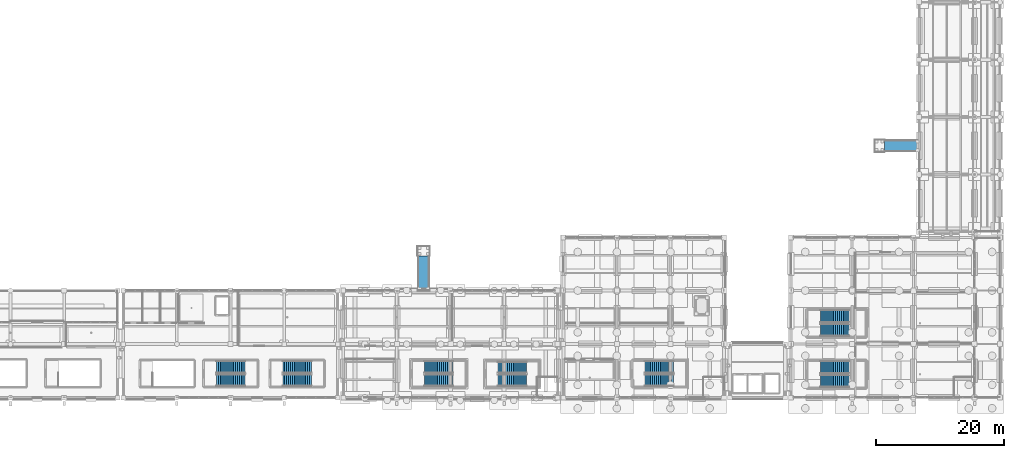
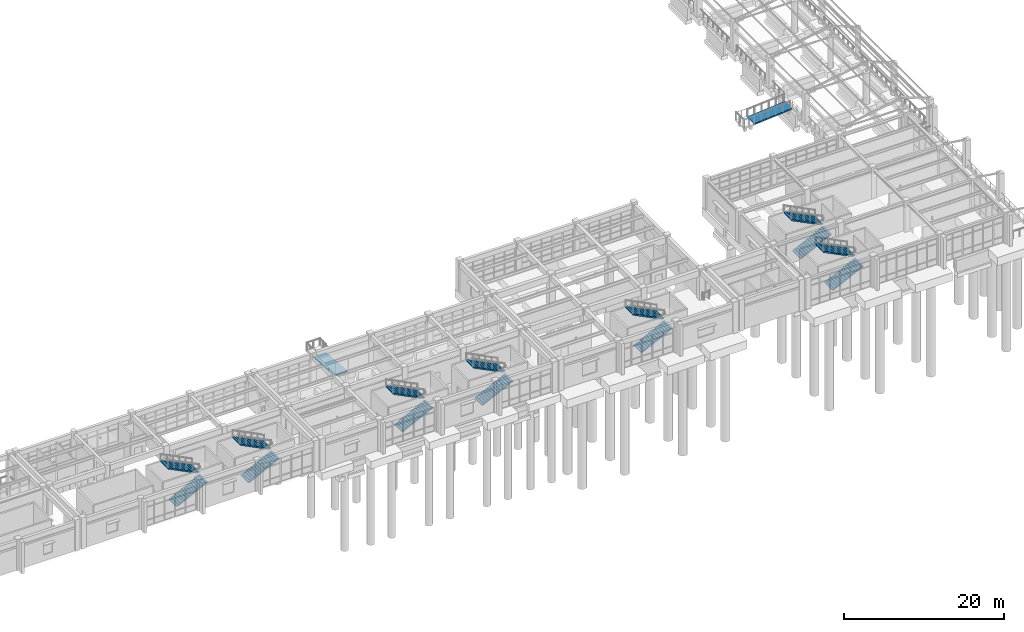
# One storey, part 89 of 111: 14 stair flights, 2 ramp flights, 9 elements without a shape of their own.
"""IFC4 building model written with IfcOpenShell, lengths in metres."""

from ifc_helpers import new_model, si_unit, direction, frame, origin, place, context, subcontext, project, spatial, polyline, outline, extrude, material, layer, layer_set, type_object, element, aggregate, save


model = new_model("IFC4")

# Units and contexts
model_context = context("Model", 3, precision=1e-05, world=origin(), true_north=direction((0.0, 1.0)))
body_context = subcontext(model_context, "Body", "Model", "MODEL_VIEW")
ifc_project = project(units=[si_unit("LENGTHUNIT", "METRE"), si_unit("AREAUNIT", "SQUARE_METRE"), si_unit("VOLUMEUNIT", "CUBIC_METRE"), si_unit("PLANEANGLEUNIT", "RADIAN"), si_unit("MASSUNIT", "GRAM", prefix="KILO")], contexts=[model_context])

# Site, building, storey
site_placement = place(None, origin())
site = spatial("IfcSite", under=ifc_project, at=site_placement, CompositionType="ELEMENT")
building_placement = place(site_placement, origin())
building = spatial("IfcBuilding", under=site, at=building_placement, Name="Canglan Escarpment Cableway Terminal", CompositionType="ELEMENT")
storey_placement = place(building_placement, frame((0.0, 0.0, 4.800048828125)))
storey = spatial("IfcBuildingStorey", under=building, at=storey_placement, Name="L01", CompositionType="ELEMENT", Elevation=4.800048828125)

# Stair, stair flights
ifc_material_1 = material(Name="Concrete C40", Category="concrete")
stair_type_1 = type_object("IfcStairType", Name="STR-DOGLEG-1850", PredefinedType="HALF_TURN_STAIR", material=ifc_material_1)
stair_1_placement = place(storey_placement, origin())
stair_1 = element("IfcStair", 1, at=stair_1_placement, inside=storey, type_object=stair_type_1, Name="L01 Protected Exit Stair ST-14", PredefinedType="HALF_TURN_STAIR")
ifc_layer_1 = layer(ifc_material_1, 0.14990234375, Name="Concrete C40")
ifc_layer_set_1 = layer_set([ifc_layer_1], Name="Concrete C40")
stair_flight_type_1 = type_object("IfcStairFlightType", Name="SFL-STRAIGHT-1850", PredefinedType="STRAIGHT", material=ifc_layer_set_1)
stair_flight_1_placement = place(storey_placement, frame((101.25, 10.72509765625, 0.0), z_axis=(0.0, 0.0, 1.0), x_axis=(1.0, 0.0, 0.0)))
stair_flight_1 = element("IfcStairFlight", 2, at=stair_flight_1_placement, type_object=stair_flight_type_1, Name="ST-14 flight 1", NumberOfRisers=16, NumberOfTreads=15, PredefinedType="STRAIGHT", RiserHeight=0.15, TreadLength=0.3, context=body_context, shape_type="SweptSolid", body=[
    extrude(outline(polyline([(0.0, 0.0), (0.0, 0.14990234375), (0.300048828125, 0.14990234375), (0.300048828125, 0.300048828125), (0.60009765625, 0.300048828125), (0.60009765625, 0.449951171875), (0.89990234375, 0.449951171875), (0.89990234375, 0.60009765625), (1.199951171875, 0.60009765625), (1.199951171875, 0.75), (1.5, 0.75), (1.5, 0.89990234375), (1.800048828125, 0.89990234375), (1.800048828125, 1.050048828125), (2.10009765625, 1.050048828125), (2.10009765625, 1.199951171875), (2.39990234375, 1.199951171875), (2.39990234375, 1.35009765625), (2.699951171875, 1.35009765625), (2.699951171875, 1.5), (3.0, 1.5), (3.0, 1.64990234375), (3.300048828125, 1.64990234375), (3.300048828125, 1.800048828125), (3.60009765625, 1.800048828125), (3.60009765625, 1.949951171875), (3.89990234375, 1.949951171875), (3.89990234375, 2.10009765625), (4.199951171875, 2.10009765625), (4.199951171875, 2.25), (4.5, 2.25), (4.5, 2.39990234375), (4.5, 2.08251953125), (0.335205078125, 0.0), (0.0, 0.0)])), frame((0.0, 0.925048828125, 0.0), z_axis=(0.0, -1.0, 0.0), x_axis=(1.0, 0.0, 0.0)), (0.0, 0.0, 1.0), 1.85009765625),
])
stair_flight_2_placement = place(storey_placement, frame((105.75, 12.72509765625, 2.39990234375), z_axis=(0.0, 0.0, 1.0), x_axis=(-1.0, 0.0, 0.0)))
stair_flight_2 = element("IfcStairFlight", 3, at=stair_flight_2_placement, type_object=stair_flight_type_1, Name="ST-14 flight 2", NumberOfRisers=16, NumberOfTreads=15, PredefinedType="STRAIGHT", RiserHeight=0.15, TreadLength=0.3, context=body_context, shape_type="SweptSolid", body=[
    extrude(outline(polyline([(0.0, 0.0), (0.0, 0.14990234375), (0.300048828125, 0.14990234375), (0.300048828125, 0.300048828125), (0.60009765625, 0.300048828125), (0.60009765625, 0.449951171875), (0.89990234375, 0.449951171875), (0.89990234375, 0.60009765625), (1.199951171875, 0.60009765625), (1.199951171875, 0.75), (1.5, 0.75), (1.5, 0.89990234375), (1.800048828125, 0.89990234375), (1.800048828125, 1.050048828125), (2.10009765625, 1.050048828125), (2.10009765625, 1.199951171875), (2.39990234375, 1.199951171875), (2.39990234375, 1.35009765625), (2.699951171875, 1.35009765625), (2.699951171875, 1.5), (3.0, 1.5), (3.0, 1.64990234375), (3.300048828125, 1.64990234375), (3.300048828125, 1.800048828125), (3.60009765625, 1.800048828125), (3.60009765625, 1.949951171875), (3.89990234375, 1.949951171875), (3.89990234375, 2.10009765625), (4.199951171875, 2.10009765625), (4.199951171875, 2.25), (4.5, 2.25), (4.5, 2.39990234375), (4.5, 2.08251953125), (0.335205078125, 0.0), (0.0, 0.0)])), frame((0.0, 0.925048828125, 0.0), z_axis=(0.0, -1.0, 0.0), x_axis=(1.0, 0.0, 0.0)), (0.0, 0.0, 1.0), 1.85009765625),
])
aggregate(stair_1, [stair_flight_1, stair_flight_2])

stair_type_2 = type_object("IfcStairType", Name="STR-DOGLEG-1900", PredefinedType="HALF_TURN_STAIR", material=ifc_material_1)
stair_2_placement = place(storey_placement, origin())
stair_2 = element("IfcStair", 4, at=stair_2_placement, inside=storey, type_object=stair_type_2, Name="L01 Protected Exit Stair ST-04", PredefinedType="HALF_TURN_STAIR")
ifc_layer_2 = layer(ifc_material_1, 0.14990234375, Name="Concrete C40")
ifc_layer_set_2 = layer_set([ifc_layer_2], Name="Concrete C40")
stair_flight_type_2 = type_object("IfcStairFlightType", Name="SFL-STRAIGHT-1900", PredefinedType="STRAIGHT", material=ifc_layer_set_2)
stair_flight_3_placement = place(storey_placement, frame((57.10009765625, 10.75, 0.0), z_axis=(0.0, 0.0, 1.0), x_axis=(1.0, 0.0, 0.0)))
stair_flight_3 = element("IfcStairFlight", 5, at=stair_flight_3_placement, type_object=stair_flight_type_2, Name="ST-04 flight 1", NumberOfRisers=16, NumberOfTreads=15, PredefinedType="STRAIGHT", RiserHeight=0.15, TreadLength=0.3, context=body_context, shape_type="SweptSolid", body=[
    extrude(outline(polyline([(0.0, 0.0), (0.0, 0.14990234375), (0.300048828125, 0.14990234375), (0.300048828125, 0.300048828125), (0.60009765625, 0.300048828125), (0.60009765625, 0.449951171875), (0.89990234375, 0.449951171875), (0.89990234375, 0.60009765625), (1.199951171875, 0.60009765625), (1.199951171875, 0.75), (1.5, 0.75), (1.5, 0.89990234375), (1.800048828125, 0.89990234375), (1.800048828125, 1.050048828125), (2.10009765625, 1.050048828125), (2.10009765625, 1.199951171875), (2.39990234375, 1.199951171875), (2.39990234375, 1.35009765625), (2.699951171875, 1.35009765625), (2.699951171875, 1.5), (3.0, 1.5), (3.0, 1.64990234375), (3.300048828125, 1.64990234375), (3.300048828125, 1.800048828125), (3.60009765625, 1.800048828125), (3.60009765625, 1.949951171875), (3.89990234375, 1.949951171875), (3.89990234375, 2.10009765625), (4.199951171875, 2.10009765625), (4.199951171875, 2.25), (4.5, 2.25), (4.5, 2.39990234375), (4.5, 2.08251953125), (0.335205078125, 0.0), (0.0, 0.0)])), frame((0.0, 0.949951171875, 0.0), z_axis=(0.0, -1.0, 0.0), x_axis=(1.0, 0.0, 0.0)), (0.0, 0.0, 1.0), 1.89990234375),
])
stair_flight_4_placement = place(storey_placement, frame((61.60009765625, 12.800048828125, 2.39990234375), z_axis=(0.0, 0.0, 1.0), x_axis=(-1.0, 0.0, 0.0)))
stair_flight_4 = element("IfcStairFlight", 6, at=stair_flight_4_placement, type_object=stair_flight_type_2, Name="ST-04 flight 2", NumberOfRisers=16, NumberOfTreads=15, PredefinedType="STRAIGHT", RiserHeight=0.15, TreadLength=0.3, context=body_context, shape_type="SweptSolid", body=[
    extrude(outline(polyline([(0.0, 0.0), (0.0, 0.14990234375), (0.300048828125, 0.14990234375), (0.300048828125, 0.300048828125), (0.60009765625, 0.300048828125), (0.60009765625, 0.449951171875), (0.89990234375, 0.449951171875), (0.89990234375, 0.60009765625), (1.199951171875, 0.60009765625), (1.199951171875, 0.75), (1.5, 0.75), (1.5, 0.89990234375), (1.800048828125, 0.89990234375), (1.800048828125, 1.050048828125), (2.10009765625, 1.050048828125), (2.10009765625, 1.199951171875), (2.39990234375, 1.199951171875), (2.39990234375, 1.35009765625), (2.699951171875, 1.35009765625), (2.699951171875, 1.5), (3.0, 1.5), (3.0, 1.64990234375), (3.300048828125, 1.64990234375), (3.300048828125, 1.800048828125), (3.60009765625, 1.800048828125), (3.60009765625, 1.949951171875), (3.89990234375, 1.949951171875), (3.89990234375, 2.10009765625), (4.199951171875, 2.10009765625), (4.199951171875, 2.25), (4.5, 2.25), (4.5, 2.39990234375), (4.5, 2.08251953125), (0.335205078125, 0.0), (0.0, 0.0)])), frame((0.0, 0.949951171875, 0.0), z_axis=(0.0, -1.0, 0.0), x_axis=(1.0, 0.0, 0.0)), (0.0, 0.0, 1.0), 1.89990234375),
])
aggregate(stair_2, [stair_flight_3, stair_flight_4])

stair_3_placement = place(storey_placement, origin())
stair_3 = element("IfcStair", 7, at=stair_3_placement, inside=storey, type_object=stair_type_2, Name="L01 Protected Exit Stair ST-05", PredefinedType="HALF_TURN_STAIR")
stair_flight_5_placement = place(storey_placement, frame((67.5, 10.75, 0.0), z_axis=(0.0, 0.0, 1.0), x_axis=(1.0, 0.0, 0.0)))
stair_flight_5 = element("IfcStairFlight", 8, at=stair_flight_5_placement, type_object=stair_flight_type_2, Name="ST-05 flight 1", NumberOfRisers=16, NumberOfTreads=15, PredefinedType="STRAIGHT", RiserHeight=0.15, TreadLength=0.3, context=body_context, shape_type="SweptSolid", body=[
    extrude(outline(polyline([(0.0, 0.0), (0.0, 0.14990234375), (0.300048828125, 0.14990234375), (0.300048828125, 0.300048828125), (0.60009765625, 0.300048828125), (0.60009765625, 0.449951171875), (0.89990234375, 0.449951171875), (0.89990234375, 0.60009765625), (1.199951171875, 0.60009765625), (1.199951171875, 0.75), (1.5, 0.75), (1.5, 0.89990234375), (1.800048828125, 0.89990234375), (1.800048828125, 1.050048828125), (2.10009765625, 1.050048828125), (2.10009765625, 1.199951171875), (2.39990234375, 1.199951171875), (2.39990234375, 1.35009765625), (2.699951171875, 1.35009765625), (2.699951171875, 1.5), (3.0, 1.5), (3.0, 1.64990234375), (3.300048828125, 1.64990234375), (3.300048828125, 1.800048828125), (3.60009765625, 1.800048828125), (3.60009765625, 1.949951171875), (3.89990234375, 1.949951171875), (3.89990234375, 2.10009765625), (4.199951171875, 2.10009765625), (4.199951171875, 2.25), (4.5, 2.25), (4.5, 2.39990234375), (4.5, 2.08251953125), (0.335205078125, 0.0), (0.0, 0.0)])), frame((0.0, 0.949951171875, 0.0), z_axis=(0.0, -1.0, 0.0), x_axis=(1.0, 0.0, 0.0)), (0.0, 0.0, 1.0), 1.89990234375),
])
stair_flight_6_placement = place(storey_placement, frame((72.0, 12.800048828125, 2.39990234375), z_axis=(0.0, 0.0, 1.0), x_axis=(-1.0, 0.0, 0.0)))
stair_flight_6 = element("IfcStairFlight", 9, at=stair_flight_6_placement, type_object=stair_flight_type_2, Name="ST-05 flight 2", NumberOfRisers=16, NumberOfTreads=15, PredefinedType="STRAIGHT", RiserHeight=0.15, TreadLength=0.3, context=body_context, shape_type="SweptSolid", body=[
    extrude(outline(polyline([(0.0, 0.0), (0.0, 0.14990234375), (0.300048828125, 0.14990234375), (0.300048828125, 0.300048828125), (0.60009765625, 0.300048828125), (0.60009765625, 0.449951171875), (0.89990234375, 0.449951171875), (0.89990234375, 0.60009765625), (1.199951171875, 0.60009765625), (1.199951171875, 0.75), (1.5, 0.75), (1.5, 0.89990234375), (1.800048828125, 0.89990234375), (1.800048828125, 1.050048828125), (2.10009765625, 1.050048828125), (2.10009765625, 1.199951171875), (2.39990234375, 1.199951171875), (2.39990234375, 1.35009765625), (2.699951171875, 1.35009765625), (2.699951171875, 1.5), (3.0, 1.5), (3.0, 1.64990234375), (3.300048828125, 1.64990234375), (3.300048828125, 1.800048828125), (3.60009765625, 1.800048828125), (3.60009765625, 1.949951171875), (3.89990234375, 1.949951171875), (3.89990234375, 2.10009765625), (4.199951171875, 2.10009765625), (4.199951171875, 2.25), (4.5, 2.25), (4.5, 2.39990234375), (4.5, 2.08251953125), (0.335205078125, 0.0), (0.0, 0.0)])), frame((0.0, 0.949951171875, 0.0), z_axis=(0.0, -1.0, 0.0), x_axis=(1.0, 0.0, 0.0)), (0.0, 0.0, 1.0), 1.89990234375),
])
aggregate(stair_3, [stair_flight_5, stair_flight_6])

stair_4_placement = place(storey_placement, origin())
stair_4 = element("IfcStair", 10, at=stair_4_placement, inside=storey, type_object=stair_type_2, Name="L01 Protected Exit Stair ST-06", PredefinedType="HALF_TURN_STAIR")
stair_flight_7_placement = place(storey_placement, frame((89.699951171875, 10.75, 0.0), z_axis=(0.0, 0.0, 1.0), x_axis=(1.0, 0.0, 0.0)))
stair_flight_7 = element("IfcStairFlight", 11, at=stair_flight_7_placement, type_object=stair_flight_type_2, Name="ST-06 flight 1", NumberOfRisers=16, NumberOfTreads=15, PredefinedType="STRAIGHT", RiserHeight=0.15, TreadLength=0.3, context=body_context, shape_type="SweptSolid", body=[
    extrude(outline(polyline([(0.0, 0.0), (0.0, 0.14990234375), (0.300048828125, 0.14990234375), (0.300048828125, 0.300048828125), (0.60009765625, 0.300048828125), (0.60009765625, 0.449951171875), (0.89990234375, 0.449951171875), (0.89990234375, 0.60009765625), (1.199951171875, 0.60009765625), (1.199951171875, 0.75), (1.5, 0.75), (1.5, 0.89990234375), (1.800048828125, 0.89990234375), (1.800048828125, 1.050048828125), (2.10009765625, 1.050048828125), (2.10009765625, 1.199951171875), (2.39990234375, 1.199951171875), (2.39990234375, 1.35009765625), (2.699951171875, 1.35009765625), (2.699951171875, 1.5), (3.0, 1.5), (3.0, 1.64990234375), (3.300048828125, 1.64990234375), (3.300048828125, 1.800048828125), (3.60009765625, 1.800048828125), (3.60009765625, 1.949951171875), (3.89990234375, 1.949951171875), (3.89990234375, 2.10009765625), (4.199951171875, 2.10009765625), (4.199951171875, 2.25), (4.5, 2.25), (4.5, 2.39990234375), (4.5, 2.08251953125), (0.335205078125, 0.0), (0.0, 0.0)])), frame((0.0, 0.949951171875, 0.0), z_axis=(0.0, -1.0, 0.0), x_axis=(1.0, 0.0, 0.0)), (0.0, 0.0, 1.0), 1.89990234375),
])
stair_flight_8_placement = place(storey_placement, frame((94.199951171875, 12.800048828125, 2.39990234375), z_axis=(0.0, 0.0, 1.0), x_axis=(-1.0, 0.0, 0.0)))
stair_flight_8 = element("IfcStairFlight", 12, at=stair_flight_8_placement, type_object=stair_flight_type_2, Name="ST-06 flight 2", NumberOfRisers=16, NumberOfTreads=15, PredefinedType="STRAIGHT", RiserHeight=0.15, TreadLength=0.3, context=body_context, shape_type="SweptSolid", body=[
    extrude(outline(polyline([(0.0, 0.0), (0.0, 0.14990234375), (0.300048828125, 0.14990234375), (0.300048828125, 0.300048828125), (0.60009765625, 0.300048828125), (0.60009765625, 0.449951171875), (0.89990234375, 0.449951171875), (0.89990234375, 0.60009765625), (1.199951171875, 0.60009765625), (1.199951171875, 0.75), (1.5, 0.75), (1.5, 0.89990234375), (1.800048828125, 0.89990234375), (1.800048828125, 1.050048828125), (2.10009765625, 1.050048828125), (2.10009765625, 1.199951171875), (2.39990234375, 1.199951171875), (2.39990234375, 1.35009765625), (2.699951171875, 1.35009765625), (2.699951171875, 1.5), (3.0, 1.5), (3.0, 1.64990234375), (3.300048828125, 1.64990234375), (3.300048828125, 1.800048828125), (3.60009765625, 1.800048828125), (3.60009765625, 1.949951171875), (3.89990234375, 1.949951171875), (3.89990234375, 2.10009765625), (4.199951171875, 2.10009765625), (4.199951171875, 2.25), (4.5, 2.25), (4.5, 2.39990234375), (4.5, 2.08251953125), (0.335205078125, 0.0), (0.0, 0.0)])), frame((0.0, 0.949951171875, 0.0), z_axis=(0.0, -1.0, 0.0), x_axis=(1.0, 0.0, 0.0)), (0.0, 0.0, 1.0), 1.89990234375),
])
aggregate(stair_4, [stair_flight_7, stair_flight_8])

stair_5_placement = place(storey_placement, origin())
stair_5 = element("IfcStair", 13, at=stair_5_placement, inside=storey, type_object=stair_type_2, Name="L01 Protected Exit Stair ST-07", PredefinedType="HALF_TURN_STAIR")
stair_flight_9_placement = place(storey_placement, frame((124.300048828125, 10.75, 0.0), z_axis=(0.0, 0.0, 1.0), x_axis=(1.0, 0.0, 0.0)))
stair_flight_9 = element("IfcStairFlight", 14, at=stair_flight_9_placement, type_object=stair_flight_type_2, Name="ST-07 flight 1", NumberOfRisers=16, NumberOfTreads=15, PredefinedType="STRAIGHT", RiserHeight=0.15, TreadLength=0.3, context=body_context, shape_type="SweptSolid", body=[
    extrude(outline(polyline([(0.0, 0.0), (0.0, 0.14990234375), (0.300048828125, 0.14990234375), (0.300048828125, 0.300048828125), (0.60009765625, 0.300048828125), (0.60009765625, 0.449951171875), (0.89990234375, 0.449951171875), (0.89990234375, 0.60009765625), (1.199951171875, 0.60009765625), (1.199951171875, 0.75), (1.5, 0.75), (1.5, 0.89990234375), (1.800048828125, 0.89990234375), (1.800048828125, 1.050048828125), (2.10009765625, 1.050048828125), (2.10009765625, 1.199951171875), (2.39990234375, 1.199951171875), (2.39990234375, 1.35009765625), (2.699951171875, 1.35009765625), (2.699951171875, 1.5), (3.0, 1.5), (3.0, 1.64990234375), (3.300048828125, 1.64990234375), (3.300048828125, 1.800048828125), (3.60009765625, 1.800048828125), (3.60009765625, 1.949951171875), (3.89990234375, 1.949951171875), (3.89990234375, 2.10009765625), (4.199951171875, 2.10009765625), (4.199951171875, 2.25), (4.5, 2.25), (4.5, 2.39990234375), (4.5, 2.08251953125), (0.335205078125, 0.0), (0.0, 0.0)])), frame((0.0, 0.949951171875, 0.0), z_axis=(0.0, -1.0, 0.0), x_axis=(1.0, 0.0, 0.0)), (0.0, 0.0, 1.0), 1.89990234375),
])
stair_flight_10_placement = place(storey_placement, frame((128.800048828125, 12.800048828125, 2.39990234375), z_axis=(0.0, 0.0, 1.0), x_axis=(-1.0, 0.0, 0.0)))
stair_flight_10 = element("IfcStairFlight", 15, at=stair_flight_10_placement, type_object=stair_flight_type_2, Name="ST-07 flight 2", NumberOfRisers=16, NumberOfTreads=15, PredefinedType="STRAIGHT", RiserHeight=0.15, TreadLength=0.3, context=body_context, shape_type="SweptSolid", body=[
    extrude(outline(polyline([(0.0, 0.0), (0.0, 0.14990234375), (0.300048828125, 0.14990234375), (0.300048828125, 0.300048828125), (0.60009765625, 0.300048828125), (0.60009765625, 0.449951171875), (0.89990234375, 0.449951171875), (0.89990234375, 0.60009765625), (1.199951171875, 0.60009765625), (1.199951171875, 0.75), (1.5, 0.75), (1.5, 0.89990234375), (1.800048828125, 0.89990234375), (1.800048828125, 1.050048828125), (2.10009765625, 1.050048828125), (2.10009765625, 1.199951171875), (2.39990234375, 1.199951171875), (2.39990234375, 1.35009765625), (2.699951171875, 1.35009765625), (2.699951171875, 1.5), (3.0, 1.5), (3.0, 1.64990234375), (3.300048828125, 1.64990234375), (3.300048828125, 1.800048828125), (3.60009765625, 1.800048828125), (3.60009765625, 1.949951171875), (3.89990234375, 1.949951171875), (3.89990234375, 2.10009765625), (4.199951171875, 2.10009765625), (4.199951171875, 2.25), (4.5, 2.25), (4.5, 2.39990234375), (4.5, 2.08251953125), (0.335205078125, 0.0), (0.0, 0.0)])), frame((0.0, 0.949951171875, 0.0), z_axis=(0.0, -1.0, 0.0), x_axis=(1.0, 0.0, 0.0)), (0.0, 0.0, 1.0), 1.89990234375),
])
aggregate(stair_5, [stair_flight_9, stair_flight_10])

stair_type_3 = type_object("IfcStairType", Name="STR-DOGLEG-2000", PredefinedType="HALF_TURN_STAIR", material=ifc_material_1)
stair_6_placement = place(storey_placement, origin())
stair_6 = element("IfcStair", 16, at=stair_6_placement, inside=storey, type_object=stair_type_3, Name="L01 Protected Exit Stair ST-08", PredefinedType="HALF_TURN_STAIR")
ifc_layer_3 = layer(ifc_material_1, 0.14990234375, Name="Concrete C40")
ifc_layer_set_3 = layer_set([ifc_layer_3], Name="Concrete C40")
stair_flight_type_3 = type_object("IfcStairFlightType", Name="SFL-STRAIGHT-2000", PredefinedType="STRAIGHT", material=ifc_layer_set_3)
stair_flight_11_placement = place(storey_placement, frame((151.800048828125, 10.60009765625, 0.0), z_axis=(0.0, 0.0, 1.0), x_axis=(1.0, 0.0, 0.0)))
stair_flight_11 = element("IfcStairFlight", 17, at=stair_flight_11_placement, type_object=stair_flight_type_3, Name="ST-08 flight 1", NumberOfRisers=16, NumberOfTreads=15, PredefinedType="STRAIGHT", RiserHeight=0.15, TreadLength=0.3, context=body_context, shape_type="SweptSolid", body=[
    extrude(outline(polyline([(0.0, 0.0), (0.0, 0.14990234375), (0.300048828125, 0.14990234375), (0.300048828125, 0.300048828125), (0.60009765625, 0.300048828125), (0.60009765625, 0.449951171875), (0.89990234375, 0.449951171875), (0.89990234375, 0.60009765625), (1.199951171875, 0.60009765625), (1.199951171875, 0.75), (1.5, 0.75), (1.5, 0.89990234375), (1.800048828125, 0.89990234375), (1.800048828125, 1.050048828125), (2.10009765625, 1.050048828125), (2.10009765625, 1.199951171875), (2.39990234375, 1.199951171875), (2.39990234375, 1.35009765625), (2.699951171875, 1.35009765625), (2.699951171875, 1.5), (3.0, 1.5), (3.0, 1.64990234375), (3.300048828125, 1.64990234375), (3.300048828125, 1.800048828125), (3.60009765625, 1.800048828125), (3.60009765625, 1.949951171875), (3.89990234375, 1.949951171875), (3.89990234375, 2.10009765625), (4.199951171875, 2.10009765625), (4.199951171875, 2.25), (4.5, 2.25), (4.5, 2.39990234375), (4.5, 2.08251953125), (0.335205078125, 0.0), (0.0, 0.0)])), frame((0.0, 1.0, 0.0), z_axis=(0.0, -1.0, 0.0), x_axis=(1.0, 0.0, 0.0)), (0.0, 0.0, 1.0), 2.0),
])
stair_flight_12_placement = place(storey_placement, frame((156.300048828125, 12.75, 2.39990234375), z_axis=(0.0, 0.0, 1.0), x_axis=(-1.0, 0.0, 0.0)))
stair_flight_12 = element("IfcStairFlight", 18, at=stair_flight_12_placement, type_object=stair_flight_type_3, Name="ST-08 flight 2", NumberOfRisers=16, NumberOfTreads=15, PredefinedType="STRAIGHT", RiserHeight=0.15, TreadLength=0.3, context=body_context, shape_type="SweptSolid", body=[
    extrude(outline(polyline([(0.0, 0.0), (0.0, 0.14990234375), (0.300048828125, 0.14990234375), (0.300048828125, 0.300048828125), (0.60009765625, 0.300048828125), (0.60009765625, 0.449951171875), (0.89990234375, 0.449951171875), (0.89990234375, 0.60009765625), (1.199951171875, 0.60009765625), (1.199951171875, 0.75), (1.5, 0.75), (1.5, 0.89990234375), (1.800048828125, 0.89990234375), (1.800048828125, 1.050048828125), (2.10009765625, 1.050048828125), (2.10009765625, 1.199951171875), (2.39990234375, 1.199951171875), (2.39990234375, 1.35009765625), (2.699951171875, 1.35009765625), (2.699951171875, 1.5), (3.0, 1.5), (3.0, 1.64990234375), (3.300048828125, 1.64990234375), (3.300048828125, 1.800048828125), (3.60009765625, 1.800048828125), (3.60009765625, 1.949951171875), (3.89990234375, 1.949951171875), (3.89990234375, 2.10009765625), (4.199951171875, 2.10009765625), (4.199951171875, 2.25), (4.5, 2.25), (4.5, 2.39990234375), (4.5, 2.08251953125), (0.335205078125, 0.0), (0.0, 0.0)])), frame((0.0, 1.0, 0.0), z_axis=(0.0, -1.0, 0.0), x_axis=(1.0, 0.0, 0.0)), (0.0, 0.0, 1.0), 2.0),
])
aggregate(stair_6, [stair_flight_11, stair_flight_12])

stair_7_placement = place(storey_placement, origin())
stair_7 = element("IfcStair", 19, at=stair_7_placement, inside=storey, type_object=stair_type_3, Name="L01 Protected Exit Stair ST-09", PredefinedType="HALF_TURN_STAIR")
stair_flight_13_placement = place(storey_placement, frame((151.800048828125, 18.60009765625, 0.0), z_axis=(0.0, 0.0, 1.0), x_axis=(1.0, 0.0, 0.0)))
stair_flight_13 = element("IfcStairFlight", 20, at=stair_flight_13_placement, type_object=stair_flight_type_3, Name="ST-09 flight 1", NumberOfRisers=16, NumberOfTreads=15, PredefinedType="STRAIGHT", RiserHeight=0.15, TreadLength=0.3, context=body_context, shape_type="SweptSolid", body=[
    extrude(outline(polyline([(0.0, 0.0), (0.0, 0.14990234375), (0.300048828125, 0.14990234375), (0.300048828125, 0.300048828125), (0.60009765625, 0.300048828125), (0.60009765625, 0.449951171875), (0.89990234375, 0.449951171875), (0.89990234375, 0.60009765625), (1.199951171875, 0.60009765625), (1.199951171875, 0.75), (1.5, 0.75), (1.5, 0.89990234375), (1.800048828125, 0.89990234375), (1.800048828125, 1.050048828125), (2.10009765625, 1.050048828125), (2.10009765625, 1.199951171875), (2.39990234375, 1.199951171875), (2.39990234375, 1.35009765625), (2.699951171875, 1.35009765625), (2.699951171875, 1.5), (3.0, 1.5), (3.0, 1.64990234375), (3.300048828125, 1.64990234375), (3.300048828125, 1.800048828125), (3.60009765625, 1.800048828125), (3.60009765625, 1.949951171875), (3.89990234375, 1.949951171875), (3.89990234375, 2.10009765625), (4.199951171875, 2.10009765625), (4.199951171875, 2.25), (4.5, 2.25), (4.5, 2.39990234375), (4.5, 2.08251953125), (0.335205078125, 0.0), (0.0, 0.0)])), frame((0.0, 1.0, 0.0), z_axis=(0.0, -1.0, 0.0), x_axis=(1.0, 0.0, 0.0)), (0.0, 0.0, 1.0), 2.0),
])
stair_flight_14_placement = place(storey_placement, frame((156.300048828125, 20.75, 2.39990234375), z_axis=(0.0, 0.0, 1.0), x_axis=(-1.0, 0.0, 0.0)))
stair_flight_14 = element("IfcStairFlight", 21, at=stair_flight_14_placement, type_object=stair_flight_type_3, Name="ST-09 flight 2", NumberOfRisers=16, NumberOfTreads=15, PredefinedType="STRAIGHT", RiserHeight=0.15, TreadLength=0.3, context=body_context, shape_type="SweptSolid", body=[
    extrude(outline(polyline([(0.0, 0.0), (0.0, 0.14990234375), (0.300048828125, 0.14990234375), (0.300048828125, 0.300048828125), (0.60009765625, 0.300048828125), (0.60009765625, 0.449951171875), (0.89990234375, 0.449951171875), (0.89990234375, 0.60009765625), (1.199951171875, 0.60009765625), (1.199951171875, 0.75), (1.5, 0.75), (1.5, 0.89990234375), (1.800048828125, 0.89990234375), (1.800048828125, 1.050048828125), (2.10009765625, 1.050048828125), (2.10009765625, 1.199951171875), (2.39990234375, 1.199951171875), (2.39990234375, 1.35009765625), (2.699951171875, 1.35009765625), (2.699951171875, 1.5), (3.0, 1.5), (3.0, 1.64990234375), (3.300048828125, 1.64990234375), (3.300048828125, 1.800048828125), (3.60009765625, 1.800048828125), (3.60009765625, 1.949951171875), (3.89990234375, 1.949951171875), (3.89990234375, 2.10009765625), (4.199951171875, 2.10009765625), (4.199951171875, 2.25), (4.5, 2.25), (4.5, 2.39990234375), (4.5, 2.08251953125), (0.335205078125, 0.0), (0.0, 0.0)])), frame((0.0, 1.0, 0.0), z_axis=(0.0, -1.0, 0.0), x_axis=(1.0, 0.0, 0.0)), (0.0, 0.0, 1.0), 2.0),
])
aggregate(stair_7, [stair_flight_13, stair_flight_14])

# Ramp, ramp flight
ramp_type = type_object("IfcRampType", Name="RMP-ACC-1800", PredefinedType="STRAIGHT_RUN_RAMP", material=ifc_material_1)
ramp_1_placement = place(storey_placement, origin())
ramp_1 = element("IfcRamp", 22, at=ramp_1_placement, inside=storey, type_object=ramp_type, Name="Accessible Bench Courtyard Ramp 3", PredefinedType="STRAIGHT_RUN_RAMP")
ifc_material_2 = material(Name="Bush-hammered non-slip granite on Concrete C40", Category="masonry")
ifc_layer_4 = layer(ifc_material_2, 0.199951171875, Name="Bush-hammered non-slip granite on Concrete C40")
ifc_layer_set_4 = layer_set([ifc_layer_4], Name="Bush-hammered non-slip granite on Concrete C40")
ramp_flight_type = type_object("IfcRampFlightType", Name="RMP-FLT-1800", PredefinedType="STRAIGHT", material=ifc_layer_set_4)
ramp_flight_1_placement = place(storey_placement, frame((89.60009765625, 30.199951171875, -0.449951171875), z_axis=(0.0, 0.0, 1.0), x_axis=(0.0, -1.0, 0.0)))
ramp_flight_1 = element("IfcRampFlight", 23, at=ramp_flight_1_placement, type_object=ramp_flight_type, Name="Accessible Bench Courtyard Ramp 3 flight", PredefinedType="STRAIGHT", context=body_context, shape_type="SweptSolid", body=[
    extrude(outline(polyline([(0.0, 0.0), (0.0, -0.199951171875), (5.429931640625, 0.25), (5.429931640625, 0.449951171875), (0.0, 0.0)])), frame((0.0, 0.89990234375, 0.0), z_axis=(0.0, -1.0, 0.0), x_axis=(1.0, 0.0, 0.0)), (0.0, 0.0, 1.0), 1.800048828125),
])
aggregate(ramp_1, [ramp_flight_1])

ramp_2_placement = place(storey_placement, origin())
ramp_2 = element("IfcRamp", 24, at=ramp_2_placement, inside=storey, type_object=ramp_type, Name="Accessible Cloister Colonnade Ramp 4", PredefinedType="STRAIGHT_RUN_RAMP")
ramp_flight_2_placement = place(storey_placement, frame((161.89990234375, 47.5, -0.449951171875), z_axis=(0.0, 0.0, 1.0), x_axis=(1.0, 0.0, 0.0)))
ramp_flight_2 = element("IfcRampFlight", 25, at=ramp_flight_2_placement, type_object=ramp_flight_type, Name="Accessible Cloister Colonnade Ramp 4 flight", PredefinedType="STRAIGHT", context=body_context, shape_type="SweptSolid", body=[
    extrude(outline(polyline([(0.0, 0.0), (0.0, -0.199951171875), (5.429931640625, 0.25), (5.429931640625, 0.449951171875), (0.0, 0.0)])), frame((0.0, 0.89990234375, 0.0), z_axis=(0.0, -1.0, 0.0), x_axis=(1.0, 0.0, 0.0)), (0.0, 0.0, 1.0), 1.800048828125),
])
aggregate(ramp_2, [ramp_flight_2])

save(model, "model.ifc")
